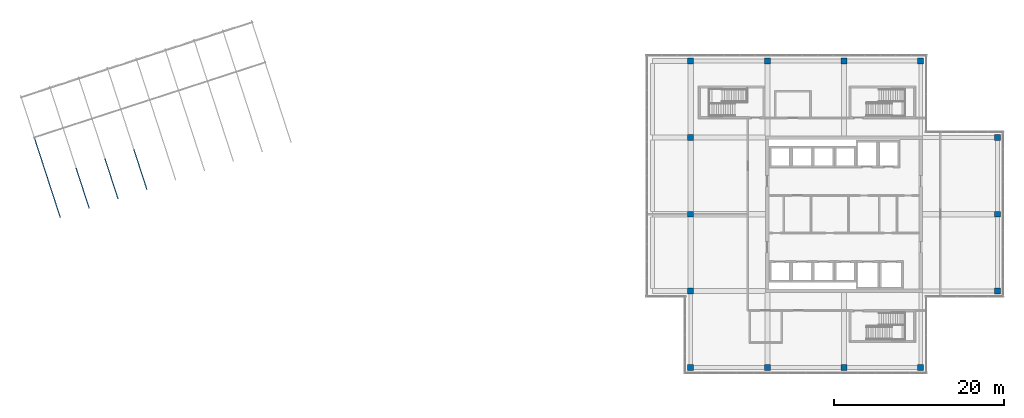
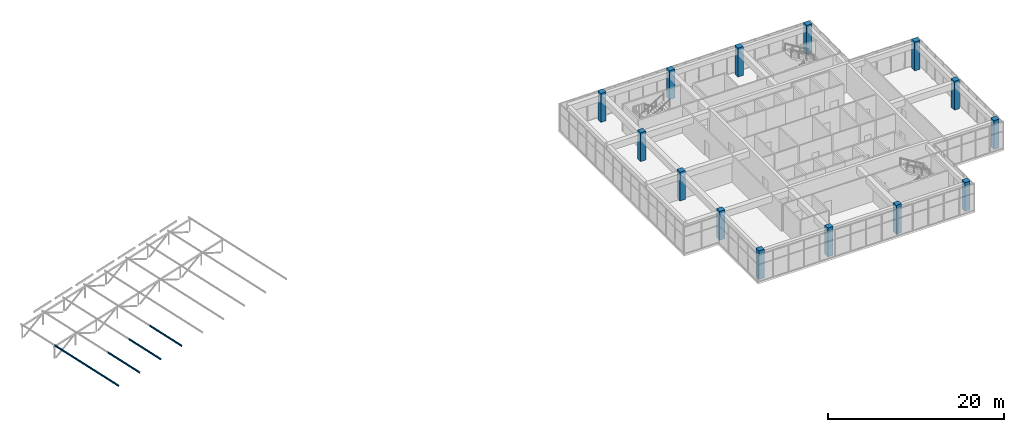
# One storey, part 1 of 43: 14 columns, 5 members.
"""IFC4 building model written with IfcOpenShell, lengths in metres."""

from ifc_helpers import new_model, si_unit, direction, frame, origin, origin_2d, place, context, subcontext, project, spatial, rectangle, i_section, extrude, material, material_profile, profile_set, type_object, element, save


model = new_model("IFC4")

# Units and contexts
model_context = context("Model", 3, precision=1e-05, world=origin(), true_north=direction((0.0, 1.0)))
body_context = subcontext(model_context, "Body", "Model", "MODEL_VIEW")
ifc_project = project(units=[si_unit("LENGTHUNIT", "METRE"), si_unit("AREAUNIT", "SQUARE_METRE"), si_unit("VOLUMEUNIT", "CUBIC_METRE"), si_unit("PLANEANGLEUNIT", "RADIAN"), si_unit("MASSUNIT", "GRAM", prefix="KILO")], contexts=[model_context])

# Site, building, storey
site_placement = place(None, origin())
site = spatial("IfcSite", under=ifc_project, at=site_placement, CompositionType="ELEMENT")
building_placement = place(site_placement, origin())
building = spatial("IfcBuilding", under=site, at=building_placement, Name="Tuart Plaza Theatre", CompositionType="ELEMENT")
storey_placement = place(building_placement, frame((0.0, 0.0, 33.5)))
storey = spatial("IfcBuildingStorey", under=building, at=storey_placement, Name="L08", CompositionType="ELEMENT", Elevation=33.5)

# Columns
ifc_material_1 = material(Name="Concrete N50 (50 MPa)", Category="concrete")
ifc_material_profile_1 = material_profile(ifc_material_1, rectangle(XDim=0.699951171875, YDim=0.699951171875, at=origin_2d()), Name="COLUMN 700x700 Concrete N50 (50 MPa)")
ifc_profile_set_1 = profile_set([ifc_material_profile_1], Name="Concrete N50 (50 MPa)")
column_type = type_object("IfcColumnType", Name="COLUMN 700x700 Concrete N50 (50 MPa)", PredefinedType="COLUMN", material=ifc_profile_set_1)
for number, where, z_axis, x_axis, name in (
    (1, (114.0, 56.0, 0.0), (0.0, 0.0, 1.0), (1.0, 0.0, 0.0), "C66"),
    (2, (114.0, 65.0, 0.0), (0.0, 0.0, 1.0), (1.0, 0.0, 0.0), "C67"),
    (3, (114.0, 74.0, 0.0), (0.0, 0.0, 1.0), (1.0, 0.0, 0.0), "C68"),
    (4, (114.0, 83.0, 0.0), (0.0, 0.0, 1.0), (1.0, 0.0, 0.0), "C69"),
    (5, (114.0, 92.0, 0.0), (0.0, 0.0, 1.0), (1.0, 0.0, 0.0), "C70"),
    (6, (123.0, 56.0, 0.0), (0.0, 0.0, 1.0), (1.0, 0.0, 0.0), "C71"),
    (7, (123.0, 92.0, 0.0), (0.0, 0.0, 1.0), (1.0, 0.0, 0.0), "C72"),
    (8, (132.0, 56.0, 0.0), (0.0, 0.0, 1.0), (1.0, 0.0, 0.0), "C73"),
    (9, (132.0, 92.0, 0.0), (0.0, 0.0, 1.0), (1.0, 0.0, 0.0), "C74"),
    (10, (141.0, 56.0, 0.0), (0.0, 0.0, 1.0), (1.0, 0.0, 0.0), "C75"),
    (11, (141.0, 92.0, 0.0), (0.0, 0.0, 1.0), (1.0, 0.0, 0.0), "C76"),
    (12, (150.0, 65.0, 0.0), (0.0, 0.0, 1.0), (1.0, 0.0, 0.0), "C77"),
    (13, (150.0, 74.0, 0.0), (0.0, 0.0, 1.0), (1.0, 0.0, 0.0), "C78"),
    (14, (150.0, 83.0, 0.0), (0.0, 0.0, 1.0), (1.0, 0.0, 0.0), "C79"),
):
    element("IfcColumn", number, at=place(storey_placement, frame(where, z_axis=z_axis, x_axis=x_axis)), inside=storey, type_object=column_type, Name=name, PredefinedType="COLUMN", context=body_context, shape_type="SweptSolid", body=[
        extrude(rectangle(XDim=0.699951171875, YDim=0.699951171875, at=origin_2d()), origin(), (0.0, 0.0, 1.0), 4.0),
    ])

# Members
ifc_material_2 = material(Name="Steel Grade 300", Category="steel")
ifc_material_profile_2 = material_profile(ifc_material_2, i_section(OverallWidth=0.133056640625, OverallDepth=0.202880859375, WebThickness=0.005859375, FlangeThickness=0.0078125, FilletRadius=0.0087890625, at=origin_2d()), Name="200UB25.4")
ifc_profile_set_2 = profile_set([ifc_material_profile_2], Name="Steel Grade 300")
member_type = type_object("IfcMemberType", Name="MEMBER Purlin 200UB25.4", PredefinedType="PURLIN", material=ifc_profile_set_2)
for number, where, z_axis, x_axis, name in (
    (15, (39.9990234375, 73.6064453125, 0.137451171875), (-0.307305261347, 0.945852730176, 0.104527934865), (-0.951062698329, -0.308997967382, 0.0), "PU80"),
    (16, (38.469482421875, 78.314208984375, 0.65771484375), (-0.307348103087, 0.945833621423, 0.10457487325), (-0.951048203135, -0.309042578481, 0.0), "PU81"),
):
    element("IfcMember", number, at=place(storey_placement, frame(where, z_axis=z_axis, x_axis=x_axis)), inside=storey, type_object=member_type, Name=name, PredefinedType="PURLIN", context=body_context, shape_type="SweptSolid", body=[
        extrude(i_section(OverallWidth=0.133056640625, OverallDepth=0.202880859375, WebThickness=0.005859375, FlangeThickness=0.0078125, FilletRadius=0.0087890625, at=origin_2d()), origin(), (0.0, 0.0, 1.0), 4.977294921875),
    ])
member_placement = place(storey_placement, frame((43.385986328125, 74.70703125, 0.137451171875), z_axis=(-0.307363938967, 0.945833302133, 0.104531208736), x_axis=(-0.95104349233, -0.309057075145, 0.0)))
element("IfcMember", 17, at=member_placement, inside=storey, type_object=member_type, Name="PU84", PredefinedType="PURLIN", context=body_context, shape_type="SweptSolid", body=[
    extrude(i_section(OverallWidth=0.133056640625, OverallDepth=0.202880859375, WebThickness=0.005859375, FlangeThickness=0.0078125, FilletRadius=0.0087890625, at=origin_2d()), origin(), (0.0, 0.0, 1.0), 4.97705078125),
])
for number, where, z_axis, x_axis, name in (
    (18, (46.772705078125, 75.807373046875, 0.137451171875), (-0.307305261347, 0.945852730176, 0.104527934865), (-0.951062698329, -0.308997967382, 0.0), "PU88"),
    (19, (50.15966796875, 76.90771484375, 0.137451171875), (-0.307349679245, 0.945838471891, 0.104526359156), (-0.951048203135, -0.309042578481, 0.0), "PU92"),
):
    element("IfcMember", number, at=place(storey_placement, frame(where, z_axis=z_axis, x_axis=x_axis)), inside=storey, type_object=member_type, Name=name, PredefinedType="PURLIN", context=body_context, shape_type="SweptSolid", body=[
        extrude(i_section(OverallWidth=0.133056640625, OverallDepth=0.202880859375, WebThickness=0.005859375, FlangeThickness=0.0078125, FilletRadius=0.0087890625, at=origin_2d()), origin(), (0.0, 0.0, 1.0), 4.977294921875),
    ])

save(model, "model.ifc")
